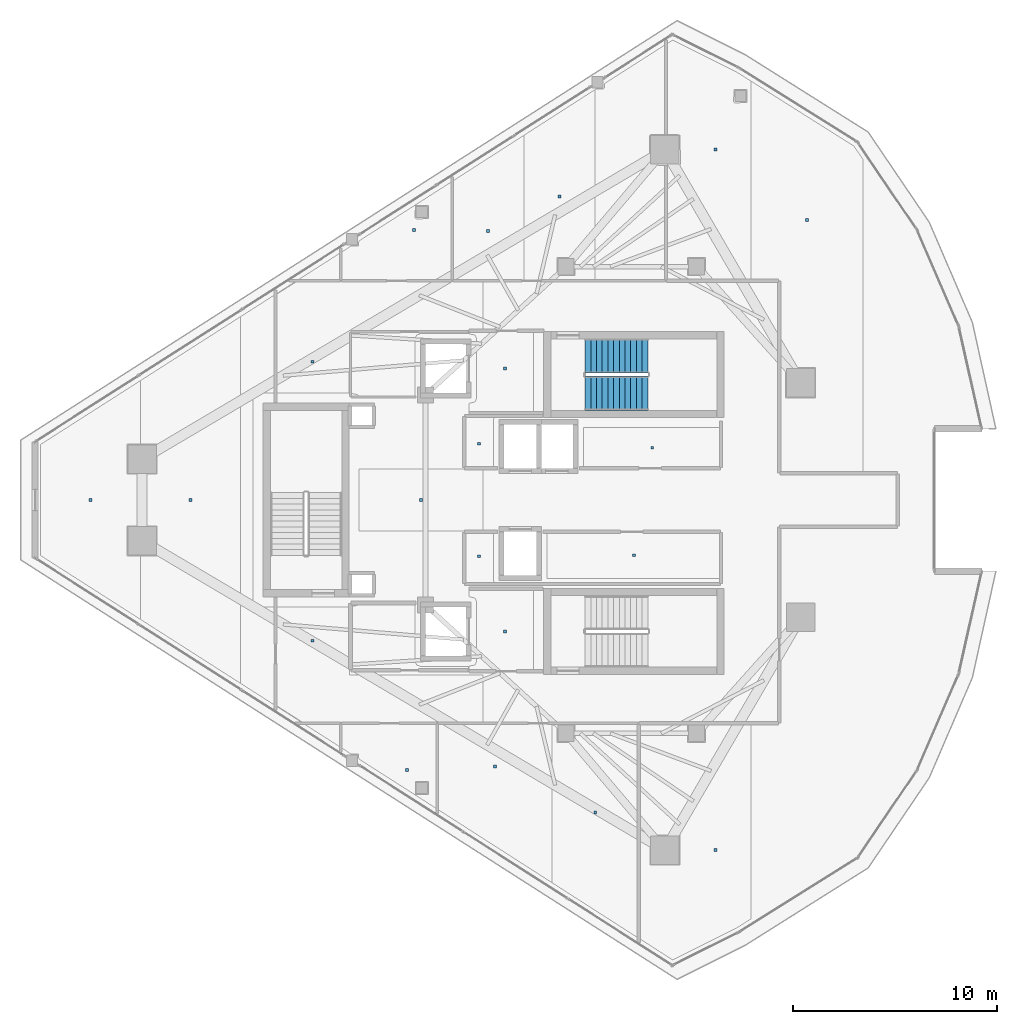
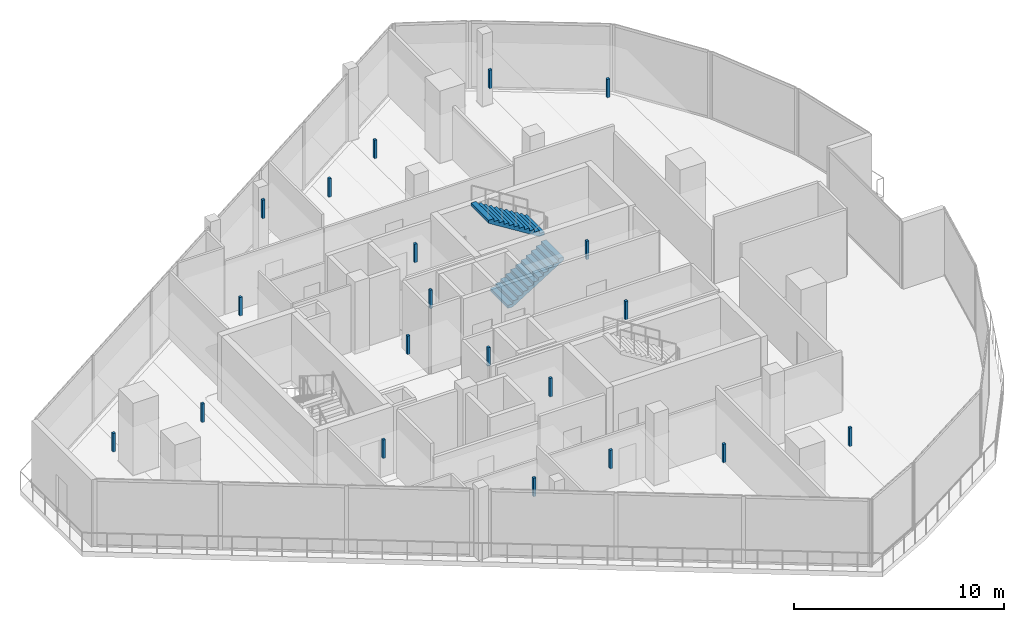
# One storey, part 20 of 25: 20 discrete accessories, 2 stair flights, 1 element without a shape of its own.
"""IFC4 building model written with IfcOpenShell, lengths in metres."""

import ifcopenshell
import ifcopenshell.guid

model = None  # the IFC model being written
_history = None  # IfcOwnerHistory: only IFC2X3 demands one
_inside = {}  # id of a spatial element -> (the spatial element, [elements in it])
_under = {}  # id of a project, library or spatial element -> (it, [spatial elements below it])
_declared = {}  # id of a project -> (the project, [libraries it declares])
_typed = {}  # id of a type object -> (the type object, [elements of that type])
_made_of = {}  # id of a material, layer set ... -> (it, [elements and type objects made of it])


def new_model(schema):
    """Start an empty IFC model of exactly this schema.

    Asked for "IFC4X3", IfcOpenShell would pick the latest addendum, in which some entities
    have other attributes; the version numbers below select the first issue.
    IFC2X3 requires an IfcOwnerHistory on every rooted entity: one is made here for all.
    """
    global model, _history
    if schema == "IFC4X3":
        model = ifcopenshell.file(schema_version=(4, 3, 0, 0))
    else:
        model = ifcopenshell.file(schema=schema)
    _inside.clear()
    _under.clear()
    _declared.clear()
    _typed.clear()
    _made_of.clear()
    _history = None
    if model.schema == "IFC2X3":
        org = make("IfcOrganization", Name="unknown")
        user = make(
            "IfcPersonAndOrganization",
            ThePerson=make("IfcPerson", FamilyName="unknown"),
            TheOrganization=org,
        )
        app = make(
            "IfcApplication",
            ApplicationDeveloper=org,
            Version="unknown",
            ApplicationFullName="unknown",
            ApplicationIdentifier="unknown",
        )
        _history = make(
            "IfcOwnerHistory",
            OwningUser=user,
            OwningApplication=app,
            ChangeAction="ADDED",
            CreationDate=0,
        )
    return model


def make(cls, **values):
    """One entity of the class cls with the attributes given. An attribute that is None is left unset."""
    return model.create_entity(
        cls, **{name: value for name, value in values.items() if value is not None}
    )


def rooted(cls, **values):
    """An entity with a GlobalId (a new one), such as an element, a storey or a relation."""
    return make(cls, GlobalId=ifcopenshell.guid.new(), OwnerHistory=_history, **values)


def si_unit(unit_type, name, prefix=None):
    """IfcSIUnit, for example si_unit("LENGTHUNIT", "METRE", prefix="MILLI")."""
    return make("IfcSIUnit", UnitType=unit_type, Prefix=prefix, Name=name)


def assignment(units):
    """IfcUnitAssignment: the units of a project."""
    return None if units is None else make("IfcUnitAssignment", Units=units)


def point(xyz):
    """IfcCartesianPoint."""
    return None if xyz is None else make("IfcCartesianPoint", Coordinates=xyz)


def direction(xyz):
    """IfcDirection."""
    return None if xyz is None else make("IfcDirection", DirectionRatios=xyz)


def frame(location, z_axis=None, x_axis=None):
    """IfcAxis2Placement3D, a coordinate frame: its origin and axes. An axis left out is left unset."""
    return make(
        "IfcAxis2Placement3D",
        Location=point(location),
        Axis=direction(z_axis),
        RefDirection=direction(x_axis),
    )


def frame_2d(location, x_axis=None):
    """IfcAxis2Placement2D, a coordinate frame in the plane: its origin and x axis."""
    return make(
        "IfcAxis2Placement2D", Location=point(location), RefDirection=direction(x_axis)
    )


def origin():
    """The frame at (0, 0, 0) with its axes left unset."""
    return frame((0.0, 0.0, 0.0))


def origin_2d():
    """The frame at (0, 0) in the plane with its x axis left unset."""
    return frame_2d((0.0, 0.0))


def place(relative_to, where):
    """IfcLocalPlacement: puts the frame where relative to a parent placement (None: the world)."""
    return make(
        "IfcLocalPlacement", PlacementRelTo=relative_to, RelativePlacement=where
    )


def context(
    kind, dimensions, precision=None, world=None, true_north=None, identifier=None
):
    """IfcGeometricRepresentationContext, for example the 3D "Model" context."""
    return make(
        "IfcGeometricRepresentationContext",
        ContextIdentifier=identifier,
        ContextType=kind,
        CoordinateSpaceDimension=dimensions,
        Precision=precision,
        WorldCoordinateSystem=world,
        TrueNorth=true_north,
    )


def subcontext(parent, identifier, kind, view, scale=None):
    """IfcGeometricRepresentationSubContext, for example "Body" below "Model"."""
    return make(
        "IfcGeometricRepresentationSubContext",
        ContextIdentifier=identifier,
        ContextType=kind,
        ParentContext=parent,
        TargetScale=scale,
        TargetView=view,
    )


def project(units=None, contexts=None):
    """IfcProject with its units and contexts."""
    return rooted(
        "IfcProject",
        Name="project",
        RepresentationContexts=contexts,
        UnitsInContext=assignment(units),
    )


def spatial(cls, under=None, at=None, **own):
    """A site, building, storey or space (cls), placed at a placement, below another one or the project."""
    s = rooted(cls, ObjectPlacement=at, **own)
    if under is not None:
        _under.setdefault(under.id(), (under, []))[1].append(s)
    return s


def polyline(points):
    """IfcPolyline through the points."""
    return make("IfcPolyline", Points=[point(p) for p in points])


def profile(cls, at=None, kind="AREA", **sizes):
    """A parametric profile (cls). Its sizes go by their IFC names, for example OverallWidth=200.0."""
    return make(cls, ProfileType=kind, Position=at, **sizes)


def rectangle(**sizes):
    """IfcRectangleProfileDef."""
    return profile("IfcRectangleProfileDef", **sizes)


def outline(outer, holes=None, kind="AREA"):
    """IfcArbitraryClosedProfileDef: a profile drawn as a closed curve; with holes, ...WithVoids."""
    if holes is None:
        return make("IfcArbitraryClosedProfileDef", ProfileType=kind, OuterCurve=outer)
    return make(
        "IfcArbitraryProfileDefWithVoids",
        ProfileType=kind,
        OuterCurve=outer,
        InnerCurves=holes,
    )


def extrude(swept, where, along, depth):
    """IfcExtrudedAreaSolid: the profile swept, set in the frame where, extruded along a direction by depth."""
    return make(
        "IfcExtrudedAreaSolid",
        SweptArea=swept,
        Position=where,
        ExtrudedDirection=direction(along),
        Depth=depth,
    )


def shape(context_of_items, identifier, shape_type, items):
    """IfcShapeRepresentation: the items that make up one representation, for example the "Body"."""
    return make(
        "IfcShapeRepresentation",
        ContextOfItems=context_of_items,
        RepresentationIdentifier=identifier,
        RepresentationType=shape_type,
        Items=items,
    )


def material(Name=None, Category=None):
    """IfcMaterial."""
    return make("IfcMaterial", Name=Name, Category=Category)


def layer(
    of_material, thickness, ventilated=None, Name=None, Category=None, Priority=None
):
    """IfcMaterialLayer: one layer of a wall or slab, of a material (None: an air gap)."""
    return make(
        "IfcMaterialLayer",
        Material=of_material,
        LayerThickness=thickness,
        IsVentilated=ventilated,
        Name=Name,
        Category=Category,
        Priority=Priority,
    )


def layer_set(layers, Name=None):
    """IfcMaterialLayerSet."""
    return make("IfcMaterialLayerSet", MaterialLayers=layers, LayerSetName=Name)


def made_of(thing, what):
    """Note that an element or type object is made of a material, layer set ...; save() writes the relation."""
    if what is not None:
        _made_of.setdefault(what.id(), (what, []))[1].append(thing)
    return thing


def type_object(cls, material=None, **own):
    """A type object (cls), such as IfcWallType, which elements share."""
    return made_of(rooted(cls, **own), material)


def element(
    cls,
    number,
    at=None,
    inside=None,
    cuts=None,
    type_object=None,
    material=None,
    context=None,
    identifier="Body",
    shape_type=None,
    held_by="IfcProductDefinitionShape",
    body=None,
    shapes=None,
    **own,
):
    """One element of the class cls, such as IfcWall. Its Tag is "e" and its number.

    at: its placement. inside: the storey or other place that contains it. cuts: it is an
    opening in that element (IfcRelVoidsElement). A single representation is given by context,
    identifier, shape_type and body (its items); several are given by shapes. held_by: the class
    of the entity that holds the representations. save() writes the other relations.
    """
    e = rooted(cls, Tag="e%d" % number, ObjectPlacement=at, **own)
    if body is not None:
        shapes = [shape(context, identifier, shape_type, body)]
    if shapes is not None:
        e.Representation = make(held_by, Representations=shapes)
    if inside is not None:
        _inside.setdefault(inside.id(), (inside, []))[1].append(e)
    if cuts is not None:
        rooted(
            "IfcRelVoidsElement", RelatingBuildingElement=cuts, RelatedOpeningElement=e
        )
    if type_object is not None:
        _typed.setdefault(type_object.id(), (type_object, []))[1].append(e)
    return made_of(e, material)


def aggregate(whole, parts):
    """IfcRelAggregates: a whole, such as a stair, and the parts it consists of."""
    return rooted("IfcRelAggregates", RelatingObject=whole, RelatedObjects=parts)


def save(model, path):
    """Write the relations noted so far, then the file.

    IfcRelAggregates (storeys below a building ...), IfcRelContainedInSpatialStructure (elements
    in a storey), IfcRelDefinesByType, IfcRelAssociatesMaterial and IfcRelDeclares: one each for
    every whole, place, type object, material and project.
    """
    for whole, parts in _under.values():
        aggregate(whole, parts)
    for where, things in _inside.values():
        rooted(
            "IfcRelContainedInSpatialStructure",
            RelatedElements=things,
            RelatingStructure=where,
        )
    for kind, things in _typed.values():
        rooted("IfcRelDefinesByType", RelatedObjects=things, RelatingType=kind)
    for what, things in _made_of.values():
        rooted("IfcRelAssociatesMaterial", RelatedObjects=things, RelatingMaterial=what)
    for by, libraries in _declared.values():
        rooted("IfcRelDeclares", RelatingContext=by, RelatedDefinitions=libraries)
    model.write(path)


model = new_model("IFC4")

# Units and contexts
model_context = context("Model", 3, precision=1e-05, world=origin(), true_north=direction((0.0, 1.0)))
body_context = subcontext(model_context, "Body", "Model", "MODEL_VIEW")
ifc_project = project(units=[si_unit("LENGTHUNIT", "METRE"), si_unit("AREAUNIT", "SQUARE_METRE"), si_unit("VOLUMEUNIT", "CUBIC_METRE"), si_unit("PLANEANGLEUNIT", "RADIAN"), si_unit("MASSUNIT", "GRAM", prefix="KILO")], contexts=[model_context])

# Site, building, storey
site_placement = place(None, origin())
site = spatial("IfcSite", under=ifc_project, at=site_placement, CompositionType="ELEMENT")
building_placement = place(site_placement, origin())
building = spatial("IfcBuilding", under=site, at=building_placement, Name="Qorvath Tower", CompositionType="ELEMENT")
storey_placement = place(building_placement, frame((0.0, 0.0, 297.60009765625)))
storey = spatial("IfcBuildingStorey", under=building, at=storey_placement, Name="L69", CompositionType="ELEMENT", Elevation=297.60009765625)

# Stair, stair flights
ifc_material_1 = material(Name="Concrete C50/60", Category="concrete")
stair_type = type_object("IfcStairType", Name="ST-H420", PredefinedType="HALF_TURN_STAIR", material=ifc_material_1)
stair_placement = place(storey_placement, origin())
stair = element("IfcStair", 1, at=stair_placement, inside=storey, type_object=stair_type, Name="L69 Tower Exit Stair 1", PredefinedType="HALF_TURN_STAIR")
ifc_material_2 = material(Name="Concrete C50/60", Category="concrete")
ifc_layer = layer(ifc_material_2, 0.14990234375)
ifc_layer_set = layer_set([ifc_layer], Name="SF-H420")
stair_flight_type = type_object("IfcStairFlightType", Name="SF-H420", PredefinedType="STRAIGHT", material=ifc_layer_set)
stair_flight_1_placement = place(storey_placement, frame((-22.669921875, 5.239990234375, 0.0), z_axis=(0.0, 0.0, 1.0), x_axis=(1.0, 0.0, 0.0)))
stair_flight_1 = element("IfcStairFlight", 2, at=stair_flight_1_placement, type_object=stair_flight_type, Name="TS1 flight 1", NumberOfRisers=12, NumberOfTreads=11, PredefinedType="STRAIGHT", RiserHeight=0.175, TreadLength=0.28, context=body_context, shape_type="SweptSolid", body=[
    extrude(outline(polyline([(0.0, 0.0), (0.0, 0.175048828125), (0.280029296875, 0.175048828125), (0.280029296875, 0.35009765625), (0.56005859375, 0.35009765625), (0.56005859375, 0.52490234375), (0.840087890625, 0.52490234375), (0.840087890625, 0.699951171875), (1.1201171875, 0.699951171875), (1.1201171875, 0.875), (1.39990234375, 0.875), (1.39990234375, 1.050048828125), (1.679931640625, 1.050048828125), (1.679931640625, 1.22509765625), (1.9599609375, 1.22509765625), (1.9599609375, 1.39990234375), (2.239990234375, 1.39990234375), (2.239990234375, 1.574951171875), (2.52001953125, 1.574951171875), (2.52001953125, 1.75), (2.800048828125, 1.75), (2.800048828125, 1.925048828125), (3.080078125, 1.925048828125), (3.080078125, 2.10009765625), (3.080078125, 1.748291015625), (0.28271484375, 0.0), (0.0, 0.0)])), frame((0.0, 0.83984375, 0.0), z_axis=(0.0, -1.0, 0.0), x_axis=(1.0, 0.0, 0.0)), (0.0, 0.0, 1.0), 1.679931640625),
])
stair_flight_2_placement = place(storey_placement, frame((-19.590087890625, 7.070068359375, 2.099853515625), z_axis=(0.0, 0.0, 1.0), x_axis=(-1.0, 0.0, 0.0)))
stair_flight_2 = element("IfcStairFlight", 3, at=stair_flight_2_placement, type_object=stair_flight_type, Name="TS1 flight 2", NumberOfRisers=12, NumberOfTreads=11, PredefinedType="STRAIGHT", RiserHeight=0.175, TreadLength=0.28, context=body_context, shape_type="SweptSolid", body=[
    extrude(outline(polyline([(0.0, 0.0), (0.0, 0.175048828125), (0.280029296875, 0.175048828125), (0.280029296875, 0.35009765625), (0.56005859375, 0.35009765625), (0.56005859375, 0.52490234375), (0.840087890625, 0.52490234375), (0.840087890625, 0.699951171875), (1.1201171875, 0.699951171875), (1.1201171875, 0.875), (1.39990234375, 0.875), (1.39990234375, 1.050048828125), (1.679931640625, 1.050048828125), (1.679931640625, 1.22509765625), (1.9599609375, 1.22509765625), (1.9599609375, 1.39990234375), (2.239990234375, 1.39990234375), (2.239990234375, 1.574951171875), (2.52001953125, 1.574951171875), (2.52001953125, 1.75), (2.800048828125, 1.75), (2.800048828125, 1.925048828125), (3.080078125, 1.925048828125), (3.080078125, 2.10009765625), (3.080078125, 1.748291015625), (0.28271484375, 0.0), (0.0, 0.0)])), frame((0.0, 0.83984375, 0.0), z_axis=(0.0, -1.0, 0.0), x_axis=(1.0, 0.0, 0.0)), (0.0, 0.0, 1.0), 1.679931640625),
])
aggregate(stair, [stair_flight_1, stair_flight_2])

# Discrete accessories
ifc_material_3 = material(Name="Galvanised steel bracket", Category="steel")
discrete_accessory_type = type_object("IfcDiscreteAccessoryType", Name="DA-BRACKET", PredefinedType="BRACKET", material=ifc_material_3)
for number, where, z_axis, x_axis, name in (
    (4, (-26.590087890625, 6.449951171875, 2.85986328125), (0.0, 0.0, 1.0), (1.0, 0.0, 0.0), "Acoustic Ceiling Suspension Hanger T1-L69-001"),
    (5, (-26.590087890625, -6.449951171875, 2.85986328125), (0.0, 0.0, 1.0), (1.0, 0.0, 0.0), "Acoustic Ceiling Suspension Hanger T1-L69-002"),
    (6, (-19.37255859375, 2.5625, 2.85986328125), (0.0, 0.0, 1.0), (1.0, 0.0, 0.0), "Acoustic Ceiling Suspension Hanger T1-L69-003"),
    (7, (-27.87744140625, 2.762451171875, 2.85986328125), (0.0, 0.0, 1.0), (1.0, 0.0, 0.0), "Acoustic Ceiling Suspension Hanger T1-L69-004"),
    (8, (-20.2724609375, -2.70751953125, 2.85986328125), (0.0, 0.0, 1.0), (1.0, 0.0, 0.0), "Acoustic Ceiling Suspension Hanger T1-L69-005"),
    (9, (-27.87744140625, -2.762451171875, 2.85986328125), (0.0, 0.0, 1.0), (1.0, 0.0, 0.0), "Acoustic Ceiling Suspension Hanger T1-L69-006"),
    (10, (-36.04150390625, -6.907958984375, 2.85986328125), (0.0, 0.0, 1.0), (1.0, 0.0, 0.0), "Acoustic Ceiling Suspension Hanger T1-L69-009"),
    (11, (-36.040283203125, 6.782470703125, 2.85986328125), (0.0, 0.0, 1.0), (1.0, 0.0, 0.0), "Acoustic Ceiling Suspension Hanger T1-L69-010"),
    (12, (-30.718017578125, 0.0, 2.85986328125), (0.0, 0.0, 1.0), (1.0, 0.0, 0.0), "Acoustic Ceiling Suspension Hanger T1-L69-011"),
    (13, (-46.941162109375, 0.0, 2.85986328125), (0.0, 0.0, 1.0), (1.0, 0.0, 0.0), "Acoustic Ceiling Suspension Hanger T1-L69-012"),
    (14, (-42.026611328125, 0.0, 2.85986328125), (0.0, 0.0, 1.0), (1.0, 0.0, 0.0), "Acoustic Ceiling Suspension Hanger T1-L69-013"),
    (15, (-16.27001953125, -17.175537109375, 2.85986328125), (0.0, 0.0, 1.0), (1.0, 0.0, 0.0), "Acoustic Ceiling Suspension Hanger T1-L69-015"),
    (16, (-16.265625, 17.19677734375, 2.85986328125), (0.0, 0.0, 1.0), (1.0, 0.0, 0.0), "Acoustic Ceiling Suspension Hanger T1-L69-016"),
    (17, (-11.779541015625, 13.7314453125, 2.85986328125), (0.0, 0.0, 1.0), (1.0, 0.0, 0.0), "Acoustic Ceiling Suspension Hanger T1-L69-017"),
    (18, (-31.05419921875, 13.246826171875, 2.85986328125), (0.0, 0.0, 1.0), (1.0, 0.0, 0.0), "Acoustic Ceiling Suspension Hanger T1-L69-018"),
    (19, (-27.423828125, 13.203125, 2.85986328125), (0.0, 0.0, 1.0), (1.0, 0.0, 0.0), "Acoustic Ceiling Suspension Hanger T1-L69-019"),
    (20, (-23.93115234375, 14.889892578125, 2.85986328125), (0.0, 0.0, 1.0), (1.0, 0.0, 0.0), "Acoustic Ceiling Suspension Hanger T1-L69-020"),
    (21, (-31.4140625, -13.255615234375, 2.85986328125), (0.0, 0.0, 1.0), (1.0, 0.0, 0.0), "Acoustic Ceiling Suspension Hanger T1-L69-022"),
    (22, (-27.093017578125, -13.06884765625, 2.85986328125), (0.0, 0.0, 1.0), (1.0, 0.0, 0.0), "Acoustic Ceiling Suspension Hanger T1-L69-023"),
    (23, (-22.16796875, -15.336669921875, 2.85986328125), (0.0, 0.0, 1.0), (1.0, 0.0, 0.0), "Acoustic Ceiling Suspension Hanger T1-L69-024"),
):
    element("IfcDiscreteAccessory", number, at=place(storey_placement, frame(where, z_axis=z_axis, x_axis=x_axis)), inside=storey, type_object=discrete_accessory_type, Name=name, PredefinedType="NOTDEFINED", context=body_context, shape_type="SweptSolid", body=[
        extrude(rectangle(XDim=0.139892578125, YDim=0.139892578125, at=origin_2d()), origin(), (0.0, 0.0, 1.0), 1.080078125),
    ])

save(model, "model.ifc")
